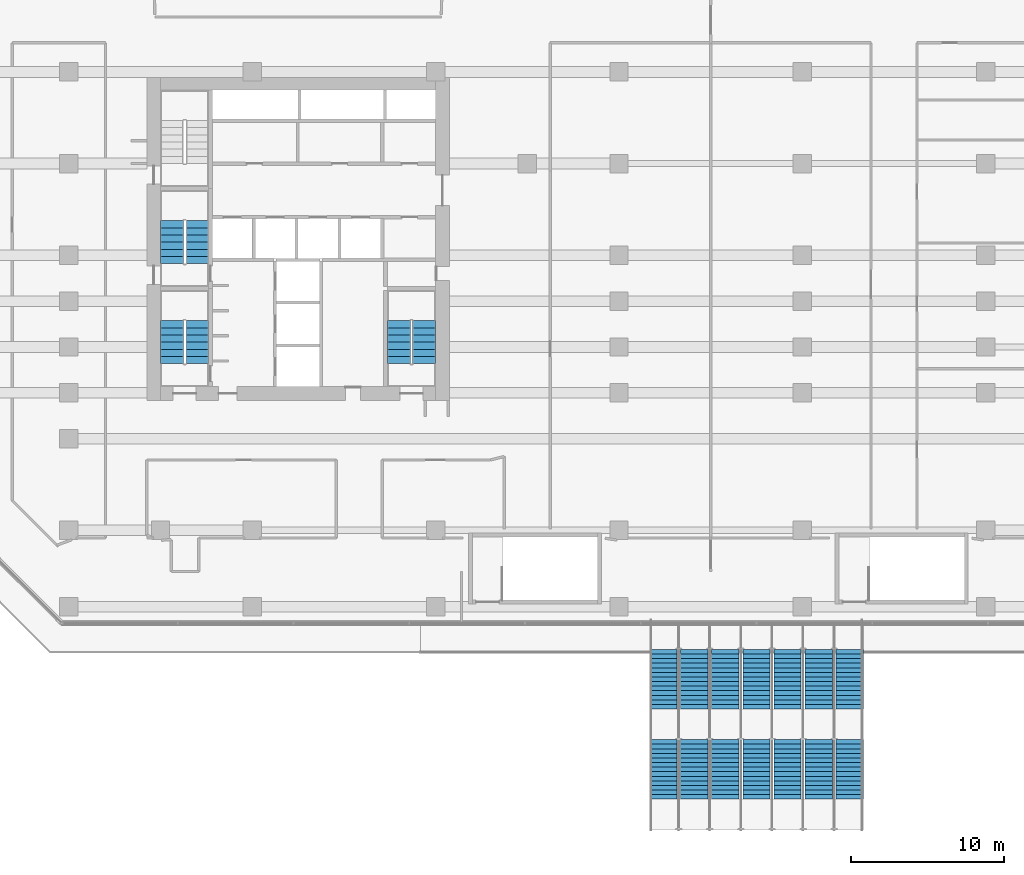
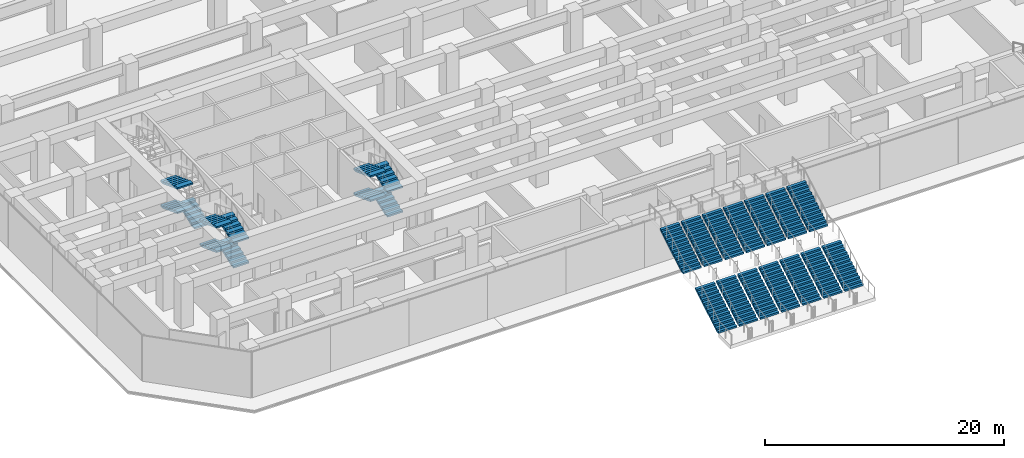
# One storey, part 33 of 40: 25 stair flights, 4 elements without a shape of their own.
"""IFC4 building model written with IfcOpenShell, lengths in metres."""

from ifc_helpers import new_model, si_unit, direction, frame, origin, place, context, subcontext, project, spatial, polyline, outline, extrude, material, type_object, element, aggregate, save


model = new_model("IFC4")

# Units and contexts
model_context = context("Model", 3, precision=1e-05, world=origin(), true_north=direction((0.0, 1.0)))
body_context = subcontext(model_context, "Body", "Model", "MODEL_VIEW")
ifc_project = project(units=[si_unit("LENGTHUNIT", "METRE"), si_unit("AREAUNIT", "SQUARE_METRE"), si_unit("VOLUMEUNIT", "CUBIC_METRE"), si_unit("PLANEANGLEUNIT", "RADIAN"), si_unit("MASSUNIT", "GRAM", prefix="KILO")], contexts=[model_context])

# Site, building, storey
site_placement = place(None, origin())
site = spatial("IfcSite", under=ifc_project, at=site_placement, CompositionType="ELEMENT")
building_placement = place(site_placement, origin())
building = spatial("IfcBuilding", under=site, at=building_placement, Name="Welwitschia Terrace Campus", CompositionType="ELEMENT")
storey_placement = place(building_placement, frame((0.0, 0.0, 6.0)))
storey = spatial("IfcBuildingStorey", under=building, at=storey_placement, Name="L01", CompositionType="ELEMENT", Elevation=6.0)

# Stair, stair flights
ifc_material_1 = material(Name="Concrete C40/50", Category="concrete")
stair_type_1 = type_object("IfcStairType", Name="Entrance stair", PredefinedType="STRAIGHT_RUN_STAIR", material=ifc_material_1)
stair_1_placement = place(storey_placement, origin())
stair_1 = element("IfcStair", 1, at=stair_1_placement, inside=storey, type_object=stair_type_1, Name="Entrance stair to garden deck 2 of 2", PredefinedType="STRAIGHT_RUN_STAIR")
ifc_material_2 = material(Name="Concrete C40/50", Category="concrete")
stair_flight_type_1 = type_object("IfcStairFlightType", Name="Entrance stair flight 1786", PredefinedType="STRAIGHT", material=ifc_material_2)
stair_flight_1_placement = place(storey_placement, frame((38.892822265625, -21.60009765625, 0.0), z_axis=(0.0, 0.0, 1.0), x_axis=(0.0, 1.0, 0.0)))
stair_flight_1 = element("IfcStairFlight", 2, at=stair_flight_1_placement, type_object=stair_flight_type_1, Name="Entrance stair to garden deck 2 of 2 flight 1", NumberOfRisers=14, NumberOfTreads=13, PredefinedType="STRAIGHT", RiserHeight=0.178571429, TreadLength=0.3, context=body_context, shape_type="SweptSolid", body=[
    extrude(outline(polyline([(0.0, 0.0), (0.0, 0.178466796875), (0.300048828125, 0.178466796875), (0.300048828125, 0.357177734375), (0.60009765625, 0.357177734375), (0.60009765625, 0.53564453125), (0.89990234375, 0.53564453125), (0.89990234375, 0.71435546875), (1.199951171875, 0.71435546875), (1.199951171875, 0.892822265625), (1.5, 0.892822265625), (1.5, 1.071533203125), (1.800048828125, 1.071533203125), (1.800048828125, 1.25), (2.10009765625, 1.25), (2.10009765625, 1.428466796875), (2.39990234375, 1.428466796875), (2.39990234375, 1.607177734375), (2.699951171875, 1.607177734375), (2.699951171875, 1.78564453125), (3.0, 1.78564453125), (3.0, 1.96435546875), (3.300048828125, 1.96435546875), (3.300048828125, 2.142822265625), (3.60009765625, 2.142822265625), (3.60009765625, 2.321533203125), (3.89990234375, 2.321533203125), (3.89990234375, 2.5), (3.89990234375, 2.14697265625), (0.29296875, 0.0), (0.0, 0.0)])), frame((0.0, 0.892822265625, 0.0), z_axis=(0.0, -1.0, 0.0), x_axis=(1.0, 0.0, 0.0)), (0.0, 0.0, 1.0), 1.78564453125),
])
stair_flight_2_placement = place(storey_placement, frame((40.9287109375, -21.60009765625, 0.0), z_axis=(0.0, 0.0, 1.0), x_axis=(0.0, 1.0, 0.0)))
stair_flight_2 = element("IfcStairFlight", 3, at=stair_flight_2_placement, type_object=stair_flight_type_1, Name="Entrance stair to garden deck 2 of 2 flight 2", NumberOfRisers=14, NumberOfTreads=13, PredefinedType="STRAIGHT", RiserHeight=0.178571429, TreadLength=0.3, context=body_context, shape_type="SweptSolid", body=[
    extrude(outline(polyline([(0.0, 0.0), (0.0, 0.178466796875), (0.300048828125, 0.178466796875), (0.300048828125, 0.357177734375), (0.60009765625, 0.357177734375), (0.60009765625, 0.53564453125), (0.89990234375, 0.53564453125), (0.89990234375, 0.71435546875), (1.199951171875, 0.71435546875), (1.199951171875, 0.892822265625), (1.5, 0.892822265625), (1.5, 1.071533203125), (1.800048828125, 1.071533203125), (1.800048828125, 1.25), (2.10009765625, 1.25), (2.10009765625, 1.428466796875), (2.39990234375, 1.428466796875), (2.39990234375, 1.607177734375), (2.699951171875, 1.607177734375), (2.699951171875, 1.78564453125), (3.0, 1.78564453125), (3.0, 1.96435546875), (3.300048828125, 1.96435546875), (3.300048828125, 2.142822265625), (3.60009765625, 2.142822265625), (3.60009765625, 2.321533203125), (3.89990234375, 2.321533203125), (3.89990234375, 2.5), (3.89990234375, 2.14697265625), (0.29296875, 0.0), (0.0, 0.0)])), frame((0.0, 0.892822265625, 0.0), z_axis=(0.0, -1.0, 0.0), x_axis=(1.0, 0.0, 0.0)), (0.0, 0.0, 1.0), 1.78564453125),
])
stair_flight_3_placement = place(storey_placement, frame((42.96435546875, -21.60009765625, 0.0), z_axis=(0.0, 0.0, 1.0), x_axis=(0.0, 1.0, 0.0)))
stair_flight_3 = element("IfcStairFlight", 4, at=stair_flight_3_placement, type_object=stair_flight_type_1, Name="Entrance stair to garden deck 2 of 2 flight 3", NumberOfRisers=14, NumberOfTreads=13, PredefinedType="STRAIGHT", RiserHeight=0.178571429, TreadLength=0.3, context=body_context, shape_type="SweptSolid", body=[
    extrude(outline(polyline([(0.0, 0.0), (0.0, 0.178466796875), (0.300048828125, 0.178466796875), (0.300048828125, 0.357177734375), (0.60009765625, 0.357177734375), (0.60009765625, 0.53564453125), (0.89990234375, 0.53564453125), (0.89990234375, 0.71435546875), (1.199951171875, 0.71435546875), (1.199951171875, 0.892822265625), (1.5, 0.892822265625), (1.5, 1.071533203125), (1.800048828125, 1.071533203125), (1.800048828125, 1.25), (2.10009765625, 1.25), (2.10009765625, 1.428466796875), (2.39990234375, 1.428466796875), (2.39990234375, 1.607177734375), (2.699951171875, 1.607177734375), (2.699951171875, 1.78564453125), (3.0, 1.78564453125), (3.0, 1.96435546875), (3.300048828125, 1.96435546875), (3.300048828125, 2.142822265625), (3.60009765625, 2.142822265625), (3.60009765625, 2.321533203125), (3.89990234375, 2.321533203125), (3.89990234375, 2.5), (3.89990234375, 2.14697265625), (0.29296875, 0.0), (0.0, 0.0)])), frame((0.0, 0.892822265625, 0.0), z_axis=(0.0, -1.0, 0.0), x_axis=(1.0, 0.0, 0.0)), (0.0, 0.0, 1.0), 1.78564453125),
])
stair_flight_4_placement = place(storey_placement, frame((45.0, -21.60009765625, 0.0), z_axis=(0.0, 0.0, 1.0), x_axis=(0.0, 1.0, 0.0)))
stair_flight_4 = element("IfcStairFlight", 5, at=stair_flight_4_placement, type_object=stair_flight_type_1, Name="Entrance stair to garden deck 2 of 2 flight 4", NumberOfRisers=14, NumberOfTreads=13, PredefinedType="STRAIGHT", RiserHeight=0.178571429, TreadLength=0.3, context=body_context, shape_type="SweptSolid", body=[
    extrude(outline(polyline([(0.0, 0.0), (0.0, 0.178466796875), (0.300048828125, 0.178466796875), (0.300048828125, 0.357177734375), (0.60009765625, 0.357177734375), (0.60009765625, 0.53564453125), (0.89990234375, 0.53564453125), (0.89990234375, 0.71435546875), (1.199951171875, 0.71435546875), (1.199951171875, 0.892822265625), (1.5, 0.892822265625), (1.5, 1.071533203125), (1.800048828125, 1.071533203125), (1.800048828125, 1.25), (2.10009765625, 1.25), (2.10009765625, 1.428466796875), (2.39990234375, 1.428466796875), (2.39990234375, 1.607177734375), (2.699951171875, 1.607177734375), (2.699951171875, 1.78564453125), (3.0, 1.78564453125), (3.0, 1.96435546875), (3.300048828125, 1.96435546875), (3.300048828125, 2.142822265625), (3.60009765625, 2.142822265625), (3.60009765625, 2.321533203125), (3.89990234375, 2.321533203125), (3.89990234375, 2.5), (3.89990234375, 2.14697265625), (0.29296875, 0.0), (0.0, 0.0)])), frame((0.0, 0.892822265625, 0.0), z_axis=(0.0, -1.0, 0.0), x_axis=(1.0, 0.0, 0.0)), (0.0, 0.0, 1.0), 1.78564453125),
])
stair_flight_5_placement = place(storey_placement, frame((47.03564453125, -21.60009765625, 0.0), z_axis=(0.0, 0.0, 1.0), x_axis=(0.0, 1.0, 0.0)))
stair_flight_5 = element("IfcStairFlight", 6, at=stair_flight_5_placement, type_object=stair_flight_type_1, Name="Entrance stair to garden deck 2 of 2 flight 5", NumberOfRisers=14, NumberOfTreads=13, PredefinedType="STRAIGHT", RiserHeight=0.178571429, TreadLength=0.3, context=body_context, shape_type="SweptSolid", body=[
    extrude(outline(polyline([(0.0, 0.0), (0.0, 0.178466796875), (0.300048828125, 0.178466796875), (0.300048828125, 0.357177734375), (0.60009765625, 0.357177734375), (0.60009765625, 0.53564453125), (0.89990234375, 0.53564453125), (0.89990234375, 0.71435546875), (1.199951171875, 0.71435546875), (1.199951171875, 0.892822265625), (1.5, 0.892822265625), (1.5, 1.071533203125), (1.800048828125, 1.071533203125), (1.800048828125, 1.25), (2.10009765625, 1.25), (2.10009765625, 1.428466796875), (2.39990234375, 1.428466796875), (2.39990234375, 1.607177734375), (2.699951171875, 1.607177734375), (2.699951171875, 1.78564453125), (3.0, 1.78564453125), (3.0, 1.96435546875), (3.300048828125, 1.96435546875), (3.300048828125, 2.142822265625), (3.60009765625, 2.142822265625), (3.60009765625, 2.321533203125), (3.89990234375, 2.321533203125), (3.89990234375, 2.5), (3.89990234375, 2.14697265625), (0.29296875, 0.0), (0.0, 0.0)])), frame((0.0, 0.892822265625, 0.0), z_axis=(0.0, -1.0, 0.0), x_axis=(1.0, 0.0, 0.0)), (0.0, 0.0, 1.0), 1.78564453125),
])
stair_flight_6_placement = place(storey_placement, frame((49.0712890625, -21.60009765625, 0.0), z_axis=(0.0, 0.0, 1.0), x_axis=(0.0, 1.0, 0.0)))
stair_flight_6 = element("IfcStairFlight", 7, at=stair_flight_6_placement, type_object=stair_flight_type_1, Name="Entrance stair to garden deck 2 of 2 flight 6", NumberOfRisers=14, NumberOfTreads=13, PredefinedType="STRAIGHT", RiserHeight=0.178571429, TreadLength=0.3, context=body_context, shape_type="SweptSolid", body=[
    extrude(outline(polyline([(0.0, 0.0), (0.0, 0.178466796875), (0.300048828125, 0.178466796875), (0.300048828125, 0.357177734375), (0.60009765625, 0.357177734375), (0.60009765625, 0.53564453125), (0.89990234375, 0.53564453125), (0.89990234375, 0.71435546875), (1.199951171875, 0.71435546875), (1.199951171875, 0.892822265625), (1.5, 0.892822265625), (1.5, 1.071533203125), (1.800048828125, 1.071533203125), (1.800048828125, 1.25), (2.10009765625, 1.25), (2.10009765625, 1.428466796875), (2.39990234375, 1.428466796875), (2.39990234375, 1.607177734375), (2.699951171875, 1.607177734375), (2.699951171875, 1.78564453125), (3.0, 1.78564453125), (3.0, 1.96435546875), (3.300048828125, 1.96435546875), (3.300048828125, 2.142822265625), (3.60009765625, 2.142822265625), (3.60009765625, 2.321533203125), (3.89990234375, 2.321533203125), (3.89990234375, 2.5), (3.89990234375, 2.14697265625), (0.29296875, 0.0), (0.0, 0.0)])), frame((0.0, 0.892822265625, 0.0), z_axis=(0.0, -1.0, 0.0), x_axis=(1.0, 0.0, 0.0)), (0.0, 0.0, 1.0), 1.78564453125),
])
stair_flight_7_placement = place(storey_placement, frame((51.107177734375, -21.60009765625, 0.0), z_axis=(0.0, 0.0, 1.0), x_axis=(0.0, 1.0, 0.0)))
stair_flight_7 = element("IfcStairFlight", 8, at=stair_flight_7_placement, type_object=stair_flight_type_1, Name="Entrance stair to garden deck 2 of 2 flight 7", NumberOfRisers=14, NumberOfTreads=13, PredefinedType="STRAIGHT", RiserHeight=0.178571429, TreadLength=0.3, context=body_context, shape_type="SweptSolid", body=[
    extrude(outline(polyline([(0.0, 0.0), (0.0, 0.178466796875), (0.300048828125, 0.178466796875), (0.300048828125, 0.357177734375), (0.60009765625, 0.357177734375), (0.60009765625, 0.53564453125), (0.89990234375, 0.53564453125), (0.89990234375, 0.71435546875), (1.199951171875, 0.71435546875), (1.199951171875, 0.892822265625), (1.5, 0.892822265625), (1.5, 1.071533203125), (1.800048828125, 1.071533203125), (1.800048828125, 1.25), (2.10009765625, 1.25), (2.10009765625, 1.428466796875), (2.39990234375, 1.428466796875), (2.39990234375, 1.607177734375), (2.699951171875, 1.607177734375), (2.699951171875, 1.78564453125), (3.0, 1.78564453125), (3.0, 1.96435546875), (3.300048828125, 1.96435546875), (3.300048828125, 2.142822265625), (3.60009765625, 2.142822265625), (3.60009765625, 2.321533203125), (3.89990234375, 2.321533203125), (3.89990234375, 2.5), (3.89990234375, 2.14697265625), (0.29296875, 0.0), (0.0, 0.0)])), frame((0.0, 0.892822265625, 0.0), z_axis=(0.0, -1.0, 0.0), x_axis=(1.0, 0.0, 0.0)), (0.0, 0.0, 1.0), 1.78564453125),
])
stair_flight_8_placement = place(storey_placement, frame((38.892822265625, -15.699951171875, 2.5), z_axis=(0.0, 0.0, 1.0), x_axis=(0.0, 1.0, 0.0)))
stair_flight_8 = element("IfcStairFlight", 9, at=stair_flight_8_placement, type_object=stair_flight_type_1, Name="Entrance stair to garden deck 2 of 2 flight 8", NumberOfRisers=14, NumberOfTreads=13, PredefinedType="STRAIGHT", RiserHeight=0.178571429, TreadLength=0.3, context=body_context, shape_type="SweptSolid", body=[
    extrude(outline(polyline([(0.0, 0.0), (0.0, 0.178466796875), (0.300048828125, 0.178466796875), (0.300048828125, 0.357177734375), (0.60009765625, 0.357177734375), (0.60009765625, 0.53564453125), (0.89990234375, 0.53564453125), (0.89990234375, 0.71435546875), (1.199951171875, 0.71435546875), (1.199951171875, 0.892822265625), (1.5, 0.892822265625), (1.5, 1.071533203125), (1.800048828125, 1.071533203125), (1.800048828125, 1.25), (2.10009765625, 1.25), (2.10009765625, 1.428466796875), (2.39990234375, 1.428466796875), (2.39990234375, 1.607177734375), (2.699951171875, 1.607177734375), (2.699951171875, 1.78564453125), (3.0, 1.78564453125), (3.0, 1.96435546875), (3.300048828125, 1.96435546875), (3.300048828125, 2.142822265625), (3.60009765625, 2.142822265625), (3.60009765625, 2.321533203125), (3.89990234375, 2.321533203125), (3.89990234375, 2.5), (3.89990234375, 2.14697265625), (0.29296875, 0.0), (0.0, 0.0)])), frame((0.0, 0.892822265625, 0.0), z_axis=(0.0, -1.0, 0.0), x_axis=(1.0, 0.0, 0.0)), (0.0, 0.0, 1.0), 1.78564453125),
])
stair_flight_9_placement = place(storey_placement, frame((40.9287109375, -15.699951171875, 2.5), z_axis=(0.0, 0.0, 1.0), x_axis=(0.0, 1.0, 0.0)))
stair_flight_9 = element("IfcStairFlight", 10, at=stair_flight_9_placement, type_object=stair_flight_type_1, Name="Entrance stair to garden deck 2 of 2 flight 9", NumberOfRisers=14, NumberOfTreads=13, PredefinedType="STRAIGHT", RiserHeight=0.178571429, TreadLength=0.3, context=body_context, shape_type="SweptSolid", body=[
    extrude(outline(polyline([(0.0, 0.0), (0.0, 0.178466796875), (0.300048828125, 0.178466796875), (0.300048828125, 0.357177734375), (0.60009765625, 0.357177734375), (0.60009765625, 0.53564453125), (0.89990234375, 0.53564453125), (0.89990234375, 0.71435546875), (1.199951171875, 0.71435546875), (1.199951171875, 0.892822265625), (1.5, 0.892822265625), (1.5, 1.071533203125), (1.800048828125, 1.071533203125), (1.800048828125, 1.25), (2.10009765625, 1.25), (2.10009765625, 1.428466796875), (2.39990234375, 1.428466796875), (2.39990234375, 1.607177734375), (2.699951171875, 1.607177734375), (2.699951171875, 1.78564453125), (3.0, 1.78564453125), (3.0, 1.96435546875), (3.300048828125, 1.96435546875), (3.300048828125, 2.142822265625), (3.60009765625, 2.142822265625), (3.60009765625, 2.321533203125), (3.89990234375, 2.321533203125), (3.89990234375, 2.5), (3.89990234375, 2.14697265625), (0.29296875, 0.0), (0.0, 0.0)])), frame((0.0, 0.892822265625, 0.0), z_axis=(0.0, -1.0, 0.0), x_axis=(1.0, 0.0, 0.0)), (0.0, 0.0, 1.0), 1.78564453125),
])
stair_flight_10_placement = place(storey_placement, frame((42.96435546875, -15.699951171875, 2.5), z_axis=(0.0, 0.0, 1.0), x_axis=(0.0, 1.0, 0.0)))
stair_flight_10 = element("IfcStairFlight", 11, at=stair_flight_10_placement, type_object=stair_flight_type_1, Name="Entrance stair to garden deck 2 of 2 flight 10", NumberOfRisers=14, NumberOfTreads=13, PredefinedType="STRAIGHT", RiserHeight=0.178571429, TreadLength=0.3, context=body_context, shape_type="SweptSolid", body=[
    extrude(outline(polyline([(0.0, 0.0), (0.0, 0.178466796875), (0.300048828125, 0.178466796875), (0.300048828125, 0.357177734375), (0.60009765625, 0.357177734375), (0.60009765625, 0.53564453125), (0.89990234375, 0.53564453125), (0.89990234375, 0.71435546875), (1.199951171875, 0.71435546875), (1.199951171875, 0.892822265625), (1.5, 0.892822265625), (1.5, 1.071533203125), (1.800048828125, 1.071533203125), (1.800048828125, 1.25), (2.10009765625, 1.25), (2.10009765625, 1.428466796875), (2.39990234375, 1.428466796875), (2.39990234375, 1.607177734375), (2.699951171875, 1.607177734375), (2.699951171875, 1.78564453125), (3.0, 1.78564453125), (3.0, 1.96435546875), (3.300048828125, 1.96435546875), (3.300048828125, 2.142822265625), (3.60009765625, 2.142822265625), (3.60009765625, 2.321533203125), (3.89990234375, 2.321533203125), (3.89990234375, 2.5), (3.89990234375, 2.14697265625), (0.29296875, 0.0), (0.0, 0.0)])), frame((0.0, 0.892822265625, 0.0), z_axis=(0.0, -1.0, 0.0), x_axis=(1.0, 0.0, 0.0)), (0.0, 0.0, 1.0), 1.78564453125),
])
stair_flight_11_placement = place(storey_placement, frame((45.0, -15.699951171875, 2.5), z_axis=(0.0, 0.0, 1.0), x_axis=(0.0, 1.0, 0.0)))
stair_flight_11 = element("IfcStairFlight", 12, at=stair_flight_11_placement, type_object=stair_flight_type_1, Name="Entrance stair to garden deck 2 of 2 flight 11", NumberOfRisers=14, NumberOfTreads=13, PredefinedType="STRAIGHT", RiserHeight=0.178571429, TreadLength=0.3, context=body_context, shape_type="SweptSolid", body=[
    extrude(outline(polyline([(0.0, 0.0), (0.0, 0.178466796875), (0.300048828125, 0.178466796875), (0.300048828125, 0.357177734375), (0.60009765625, 0.357177734375), (0.60009765625, 0.53564453125), (0.89990234375, 0.53564453125), (0.89990234375, 0.71435546875), (1.199951171875, 0.71435546875), (1.199951171875, 0.892822265625), (1.5, 0.892822265625), (1.5, 1.071533203125), (1.800048828125, 1.071533203125), (1.800048828125, 1.25), (2.10009765625, 1.25), (2.10009765625, 1.428466796875), (2.39990234375, 1.428466796875), (2.39990234375, 1.607177734375), (2.699951171875, 1.607177734375), (2.699951171875, 1.78564453125), (3.0, 1.78564453125), (3.0, 1.96435546875), (3.300048828125, 1.96435546875), (3.300048828125, 2.142822265625), (3.60009765625, 2.142822265625), (3.60009765625, 2.321533203125), (3.89990234375, 2.321533203125), (3.89990234375, 2.5), (3.89990234375, 2.14697265625), (0.29296875, 0.0), (0.0, 0.0)])), frame((0.0, 0.892822265625, 0.0), z_axis=(0.0, -1.0, 0.0), x_axis=(1.0, 0.0, 0.0)), (0.0, 0.0, 1.0), 1.78564453125),
])
stair_flight_12_placement = place(storey_placement, frame((47.03564453125, -15.699951171875, 2.5), z_axis=(0.0, 0.0, 1.0), x_axis=(0.0, 1.0, 0.0)))
stair_flight_12 = element("IfcStairFlight", 13, at=stair_flight_12_placement, type_object=stair_flight_type_1, Name="Entrance stair to garden deck 2 of 2 flight 12", NumberOfRisers=14, NumberOfTreads=13, PredefinedType="STRAIGHT", RiserHeight=0.178571429, TreadLength=0.3, context=body_context, shape_type="SweptSolid", body=[
    extrude(outline(polyline([(0.0, 0.0), (0.0, 0.178466796875), (0.300048828125, 0.178466796875), (0.300048828125, 0.357177734375), (0.60009765625, 0.357177734375), (0.60009765625, 0.53564453125), (0.89990234375, 0.53564453125), (0.89990234375, 0.71435546875), (1.199951171875, 0.71435546875), (1.199951171875, 0.892822265625), (1.5, 0.892822265625), (1.5, 1.071533203125), (1.800048828125, 1.071533203125), (1.800048828125, 1.25), (2.10009765625, 1.25), (2.10009765625, 1.428466796875), (2.39990234375, 1.428466796875), (2.39990234375, 1.607177734375), (2.699951171875, 1.607177734375), (2.699951171875, 1.78564453125), (3.0, 1.78564453125), (3.0, 1.96435546875), (3.300048828125, 1.96435546875), (3.300048828125, 2.142822265625), (3.60009765625, 2.142822265625), (3.60009765625, 2.321533203125), (3.89990234375, 2.321533203125), (3.89990234375, 2.5), (3.89990234375, 2.14697265625), (0.29296875, 0.0), (0.0, 0.0)])), frame((0.0, 0.892822265625, 0.0), z_axis=(0.0, -1.0, 0.0), x_axis=(1.0, 0.0, 0.0)), (0.0, 0.0, 1.0), 1.78564453125),
])
stair_flight_13_placement = place(storey_placement, frame((49.0712890625, -15.699951171875, 2.5), z_axis=(0.0, 0.0, 1.0), x_axis=(0.0, 1.0, 0.0)))
stair_flight_13 = element("IfcStairFlight", 14, at=stair_flight_13_placement, type_object=stair_flight_type_1, Name="Entrance stair to garden deck 2 of 2 flight 13", NumberOfRisers=14, NumberOfTreads=13, PredefinedType="STRAIGHT", RiserHeight=0.178571429, TreadLength=0.3, context=body_context, shape_type="SweptSolid", body=[
    extrude(outline(polyline([(0.0, 0.0), (0.0, 0.178466796875), (0.300048828125, 0.178466796875), (0.300048828125, 0.357177734375), (0.60009765625, 0.357177734375), (0.60009765625, 0.53564453125), (0.89990234375, 0.53564453125), (0.89990234375, 0.71435546875), (1.199951171875, 0.71435546875), (1.199951171875, 0.892822265625), (1.5, 0.892822265625), (1.5, 1.071533203125), (1.800048828125, 1.071533203125), (1.800048828125, 1.25), (2.10009765625, 1.25), (2.10009765625, 1.428466796875), (2.39990234375, 1.428466796875), (2.39990234375, 1.607177734375), (2.699951171875, 1.607177734375), (2.699951171875, 1.78564453125), (3.0, 1.78564453125), (3.0, 1.96435546875), (3.300048828125, 1.96435546875), (3.300048828125, 2.142822265625), (3.60009765625, 2.142822265625), (3.60009765625, 2.321533203125), (3.89990234375, 2.321533203125), (3.89990234375, 2.5), (3.89990234375, 2.14697265625), (0.29296875, 0.0), (0.0, 0.0)])), frame((0.0, 0.892822265625, 0.0), z_axis=(0.0, -1.0, 0.0), x_axis=(1.0, 0.0, 0.0)), (0.0, 0.0, 1.0), 1.78564453125),
])
stair_flight_14_placement = place(storey_placement, frame((51.107177734375, -15.699951171875, 2.5), z_axis=(0.0, 0.0, 1.0), x_axis=(0.0, 1.0, 0.0)))
stair_flight_14 = element("IfcStairFlight", 15, at=stair_flight_14_placement, type_object=stair_flight_type_1, Name="Entrance stair to garden deck 2 of 2 flight 14", NumberOfRisers=14, NumberOfTreads=13, PredefinedType="STRAIGHT", RiserHeight=0.178571429, TreadLength=0.3, context=body_context, shape_type="SweptSolid", body=[
    extrude(outline(polyline([(0.0, 0.0), (0.0, 0.178466796875), (0.300048828125, 0.178466796875), (0.300048828125, 0.357177734375), (0.60009765625, 0.357177734375), (0.60009765625, 0.53564453125), (0.89990234375, 0.53564453125), (0.89990234375, 0.71435546875), (1.199951171875, 0.71435546875), (1.199951171875, 0.892822265625), (1.5, 0.892822265625), (1.5, 1.071533203125), (1.800048828125, 1.071533203125), (1.800048828125, 1.25), (2.10009765625, 1.25), (2.10009765625, 1.428466796875), (2.39990234375, 1.428466796875), (2.39990234375, 1.607177734375), (2.699951171875, 1.607177734375), (2.699951171875, 1.78564453125), (3.0, 1.78564453125), (3.0, 1.96435546875), (3.300048828125, 1.96435546875), (3.300048828125, 2.142822265625), (3.60009765625, 2.142822265625), (3.60009765625, 2.321533203125), (3.89990234375, 2.321533203125), (3.89990234375, 2.5), (3.89990234375, 2.14697265625), (0.29296875, 0.0), (0.0, 0.0)])), frame((0.0, 0.892822265625, 0.0), z_axis=(0.0, -1.0, 0.0), x_axis=(1.0, 0.0, 0.0)), (0.0, 0.0, 1.0), 1.78564453125),
])
aggregate(stair_1, [stair_flight_1, stair_flight_2, stair_flight_3, stair_flight_4, stair_flight_5, stair_flight_6, stair_flight_7, stair_flight_8, stair_flight_9, stair_flight_10, stair_flight_11, stair_flight_12, stair_flight_13, stair_flight_14])

ifc_material_3 = material(Name="Concrete C40/50", Category="concrete")
stair_type_2 = type_object("IfcStairType", Name="Stair 28R 179 W1500", PredefinedType="HALF_TURN_STAIR", material=ifc_material_3)
stair_2_placement = place(storey_placement, origin())
stair_2 = element("IfcStair", 16, at=stair_2_placement, inside=storey, type_object=stair_type_2, Name="L01 Exit stair S1", PredefinedType="HALF_TURN_STAIR")
ifc_material_4 = material(Name="Concrete C40/50", Category="concrete")
stair_flight_type_2 = type_object("IfcStairFlightType", Name="Stair flight 28R 179 W1500", PredefinedType="STRAIGHT", material=ifc_material_4)
stair_flight_15_placement = place(storey_placement, frame((8.39990234375, 6.89990234375, 0.0), z_axis=(0.0, 0.0, 1.0), x_axis=(0.0, 1.0, 0.0)))
stair_flight_15 = element("IfcStairFlight", 17, at=stair_flight_15_placement, type_object=stair_flight_type_2, Name="S1 flight 1", NumberOfRisers=7, NumberOfTreads=6, PredefinedType="STRAIGHT", RiserHeight=0.178571429, TreadLength=0.47, context=body_context, shape_type="SweptSolid", body=[
    extrude(outline(polyline([(0.0, 0.0), (0.0, 0.178466796875), (0.469970703125, 0.178466796875), (0.469970703125, 0.357177734375), (0.93994140625, 0.357177734375), (0.93994140625, 0.53564453125), (1.409912109375, 0.53564453125), (1.409912109375, 0.71435546875), (1.8798828125, 0.71435546875), (1.8798828125, 0.892822265625), (2.35009765625, 0.892822265625), (2.35009765625, 1.071533203125), (2.820068359375, 1.071533203125), (2.820068359375, 1.25), (2.820068359375, 0.9111328125), (0.422119140625, 0.0), (0.0, 0.0)])), frame((0.0, 0.75, 0.0), z_axis=(0.0, -1.0, 0.0), x_axis=(1.0, 0.0, 0.0)), (0.0, 0.0, 1.0), 1.5),
])
stair_flight_16_placement = place(storey_placement, frame((6.75, 9.719970703125, 1.25), z_axis=(0.0, 0.0, 1.0), x_axis=(0.0, -1.0, 0.0)))
stair_flight_16 = element("IfcStairFlight", 18, at=stair_flight_16_placement, type_object=stair_flight_type_2, Name="S1 flight 2", NumberOfRisers=7, NumberOfTreads=6, PredefinedType="STRAIGHT", RiserHeight=0.178571429, TreadLength=0.47, context=body_context, shape_type="SweptSolid", body=[
    extrude(outline(polyline([(0.0, 0.0), (0.0, 0.178466796875), (0.469970703125, 0.178466796875), (0.469970703125, 0.357177734375), (0.93994140625, 0.357177734375), (0.93994140625, 0.53564453125), (1.409912109375, 0.53564453125), (1.409912109375, 0.71435546875), (1.8798828125, 0.71435546875), (1.8798828125, 0.892822265625), (2.35009765625, 0.892822265625), (2.35009765625, 1.071533203125), (2.820068359375, 1.071533203125), (2.820068359375, 1.25), (2.820068359375, 0.9111328125), (0.422119140625, 0.0), (0.0, 0.0)])), frame((0.0, 0.75, 0.0), z_axis=(0.0, -1.0, 0.0), x_axis=(1.0, 0.0, 0.0)), (0.0, 0.0, 1.0), 1.5),
])
stair_flight_17_placement = place(storey_placement, frame((8.39990234375, 6.89990234375, 2.5), z_axis=(0.0, 0.0, 1.0), x_axis=(0.0, 1.0, 0.0)))
stair_flight_17 = element("IfcStairFlight", 19, at=stair_flight_17_placement, type_object=stair_flight_type_2, Name="S1 flight 3", NumberOfRisers=7, NumberOfTreads=6, PredefinedType="STRAIGHT", RiserHeight=0.178571429, TreadLength=0.47, context=body_context, shape_type="SweptSolid", body=[
    extrude(outline(polyline([(0.0, 0.0), (0.0, 0.178466796875), (0.469970703125, 0.178466796875), (0.469970703125, 0.357177734375), (0.93994140625, 0.357177734375), (0.93994140625, 0.53564453125), (1.409912109375, 0.53564453125), (1.409912109375, 0.71435546875), (1.8798828125, 0.71435546875), (1.8798828125, 0.892822265625), (2.35009765625, 0.892822265625), (2.35009765625, 1.071533203125), (2.820068359375, 1.071533203125), (2.820068359375, 1.25), (2.820068359375, 0.9111328125), (0.422119140625, 0.0), (0.0, 0.0)])), frame((0.0, 0.75, 0.0), z_axis=(0.0, -1.0, 0.0), x_axis=(1.0, 0.0, 0.0)), (0.0, 0.0, 1.0), 1.5),
])
stair_flight_18_placement = place(storey_placement, frame((6.75, 9.719970703125, 3.75), z_axis=(0.0, 0.0, 1.0), x_axis=(0.0, -1.0, 0.0)))
stair_flight_18 = element("IfcStairFlight", 20, at=stair_flight_18_placement, type_object=stair_flight_type_2, Name="S1 flight 4", NumberOfRisers=7, NumberOfTreads=6, PredefinedType="STRAIGHT", RiserHeight=0.178571429, TreadLength=0.47, context=body_context, shape_type="SweptSolid", body=[
    extrude(outline(polyline([(0.0, 0.0), (0.0, 0.178466796875), (0.469970703125, 0.178466796875), (0.469970703125, 0.357177734375), (0.93994140625, 0.357177734375), (0.93994140625, 0.53564453125), (1.409912109375, 0.53564453125), (1.409912109375, 0.71435546875), (1.8798828125, 0.71435546875), (1.8798828125, 0.892822265625), (2.35009765625, 0.892822265625), (2.35009765625, 1.071533203125), (2.820068359375, 1.071533203125), (2.820068359375, 1.25), (2.820068359375, 0.9111328125), (0.422119140625, 0.0), (0.0, 0.0)])), frame((0.0, 0.75, 0.0), z_axis=(0.0, -1.0, 0.0), x_axis=(1.0, 0.0, 0.0)), (0.0, 0.0, 1.0), 1.5),
])
aggregate(stair_2, [stair_flight_15, stair_flight_16, stair_flight_17, stair_flight_18])

stair_3_placement = place(storey_placement, origin())
stair_3 = element("IfcStair", 21, at=stair_3_placement, inside=storey, type_object=stair_type_2, Name="L01 Exit stair S3", PredefinedType="HALF_TURN_STAIR")
stair_flight_19_placement = place(storey_placement, frame((8.39990234375, 13.449951171875, 0.0), z_axis=(0.0, 0.0, 1.0), x_axis=(0.0, 1.0, 0.0)))
stair_flight_19 = element("IfcStairFlight", 22, at=stair_flight_19_placement, type_object=stair_flight_type_2, Name="S3 flight 1", NumberOfRisers=7, NumberOfTreads=6, PredefinedType="STRAIGHT", RiserHeight=0.178571429, TreadLength=0.47, context=body_context, shape_type="SweptSolid", body=[
    extrude(outline(polyline([(0.0, 0.0), (0.0, 0.178466796875), (0.469970703125, 0.178466796875), (0.469970703125, 0.357177734375), (0.93994140625, 0.357177734375), (0.93994140625, 0.53564453125), (1.409912109375, 0.53564453125), (1.409912109375, 0.71435546875), (1.8798828125, 0.71435546875), (1.8798828125, 0.892822265625), (2.35009765625, 0.892822265625), (2.35009765625, 1.071533203125), (2.820068359375, 1.071533203125), (2.820068359375, 1.25), (2.820068359375, 0.9111328125), (0.422119140625, 0.0), (0.0, 0.0)])), frame((0.0, 0.75, 0.0), z_axis=(0.0, -1.0, 0.0), x_axis=(1.0, 0.0, 0.0)), (0.0, 0.0, 1.0), 1.5),
])
stair_flight_20_placement = place(storey_placement, frame((6.75, 16.27001953125, 1.25), z_axis=(0.0, 0.0, 1.0), x_axis=(0.0, -1.0, 0.0)))
stair_flight_20 = element("IfcStairFlight", 23, at=stair_flight_20_placement, type_object=stair_flight_type_2, Name="S3 flight 2", NumberOfRisers=7, NumberOfTreads=6, PredefinedType="STRAIGHT", RiserHeight=0.178571429, TreadLength=0.47, context=body_context, shape_type="SweptSolid", body=[
    extrude(outline(polyline([(0.0, 0.0), (0.0, 0.178466796875), (0.469970703125, 0.178466796875), (0.469970703125, 0.357177734375), (0.93994140625, 0.357177734375), (0.93994140625, 0.53564453125), (1.409912109375, 0.53564453125), (1.409912109375, 0.71435546875), (1.8798828125, 0.71435546875), (1.8798828125, 0.892822265625), (2.35009765625, 0.892822265625), (2.35009765625, 1.071533203125), (2.820068359375, 1.071533203125), (2.820068359375, 1.25), (2.820068359375, 0.9111328125), (0.422119140625, 0.0), (0.0, 0.0)])), frame((0.0, 0.75, 0.0), z_axis=(0.0, -1.0, 0.0), x_axis=(1.0, 0.0, 0.0)), (0.0, 0.0, 1.0), 1.5),
])
stair_flight_21_placement = place(storey_placement, frame((6.75, 16.27001953125, 3.75), z_axis=(0.0, 0.0, 1.0), x_axis=(0.0, -1.0, 0.0)))
stair_flight_21 = element("IfcStairFlight", 24, at=stair_flight_21_placement, type_object=stair_flight_type_2, Name="S3 flight 4", NumberOfRisers=7, NumberOfTreads=6, PredefinedType="STRAIGHT", RiserHeight=0.178571429, TreadLength=0.47, context=body_context, shape_type="SweptSolid", body=[
    extrude(outline(polyline([(0.0, 0.0), (0.0, 0.178466796875), (0.469970703125, 0.178466796875), (0.469970703125, 0.357177734375), (0.93994140625, 0.357177734375), (0.93994140625, 0.53564453125), (1.409912109375, 0.53564453125), (1.409912109375, 0.71435546875), (1.8798828125, 0.71435546875), (1.8798828125, 0.892822265625), (2.35009765625, 0.892822265625), (2.35009765625, 1.071533203125), (2.820068359375, 1.071533203125), (2.820068359375, 1.25), (2.820068359375, 0.9111328125), (0.422119140625, 0.0), (0.0, 0.0)])), frame((0.0, 0.75, 0.0), z_axis=(0.0, -1.0, 0.0), x_axis=(1.0, 0.0, 0.0)), (0.0, 0.0, 1.0), 1.5),
])
aggregate(stair_3, [stair_flight_19, stair_flight_20, stair_flight_21])

stair_4_placement = place(storey_placement, origin())
stair_4 = element("IfcStair", 25, at=stair_4_placement, inside=storey, type_object=stair_type_2, Name="L01 Exit stair S2", PredefinedType="HALF_TURN_STAIR")
stair_flight_22_placement = place(storey_placement, frame((23.25, 6.89990234375, 0.0), z_axis=(0.0, 0.0, 1.0), x_axis=(0.0, 1.0, 0.0)))
stair_flight_22 = element("IfcStairFlight", 26, at=stair_flight_22_placement, type_object=stair_flight_type_2, Name="S2 flight 1", NumberOfRisers=7, NumberOfTreads=6, PredefinedType="STRAIGHT", RiserHeight=0.178571429, TreadLength=0.47, context=body_context, shape_type="SweptSolid", body=[
    extrude(outline(polyline([(0.0, 0.0), (0.0, 0.178466796875), (0.469970703125, 0.178466796875), (0.469970703125, 0.357177734375), (0.93994140625, 0.357177734375), (0.93994140625, 0.53564453125), (1.409912109375, 0.53564453125), (1.409912109375, 0.71435546875), (1.8798828125, 0.71435546875), (1.8798828125, 0.892822265625), (2.35009765625, 0.892822265625), (2.35009765625, 1.071533203125), (2.820068359375, 1.071533203125), (2.820068359375, 1.25), (2.820068359375, 0.9111328125), (0.422119140625, 0.0), (0.0, 0.0)])), frame((0.0, 0.75, 0.0), z_axis=(0.0, -1.0, 0.0), x_axis=(1.0, 0.0, 0.0)), (0.0, 0.0, 1.0), 1.5),
])
stair_flight_23_placement = place(storey_placement, frame((21.60009765625, 9.719970703125, 1.25), z_axis=(0.0, 0.0, 1.0), x_axis=(0.0, -1.0, 0.0)))
stair_flight_23 = element("IfcStairFlight", 27, at=stair_flight_23_placement, type_object=stair_flight_type_2, Name="S2 flight 2", NumberOfRisers=7, NumberOfTreads=6, PredefinedType="STRAIGHT", RiserHeight=0.178571429, TreadLength=0.47, context=body_context, shape_type="SweptSolid", body=[
    extrude(outline(polyline([(0.0, 0.0), (0.0, 0.178466796875), (0.469970703125, 0.178466796875), (0.469970703125, 0.357177734375), (0.93994140625, 0.357177734375), (0.93994140625, 0.53564453125), (1.409912109375, 0.53564453125), (1.409912109375, 0.71435546875), (1.8798828125, 0.71435546875), (1.8798828125, 0.892822265625), (2.35009765625, 0.892822265625), (2.35009765625, 1.071533203125), (2.820068359375, 1.071533203125), (2.820068359375, 1.25), (2.820068359375, 0.9111328125), (0.422119140625, 0.0), (0.0, 0.0)])), frame((0.0, 0.75, 0.0), z_axis=(0.0, -1.0, 0.0), x_axis=(1.0, 0.0, 0.0)), (0.0, 0.0, 1.0), 1.5),
])
stair_flight_24_placement = place(storey_placement, frame((23.25, 6.89990234375, 2.5), z_axis=(0.0, 0.0, 1.0), x_axis=(0.0, 1.0, 0.0)))
stair_flight_24 = element("IfcStairFlight", 28, at=stair_flight_24_placement, type_object=stair_flight_type_2, Name="S2 flight 3", NumberOfRisers=7, NumberOfTreads=6, PredefinedType="STRAIGHT", RiserHeight=0.178571429, TreadLength=0.47, context=body_context, shape_type="SweptSolid", body=[
    extrude(outline(polyline([(0.0, 0.0), (0.0, 0.178466796875), (0.469970703125, 0.178466796875), (0.469970703125, 0.357177734375), (0.93994140625, 0.357177734375), (0.93994140625, 0.53564453125), (1.409912109375, 0.53564453125), (1.409912109375, 0.71435546875), (1.8798828125, 0.71435546875), (1.8798828125, 0.892822265625), (2.35009765625, 0.892822265625), (2.35009765625, 1.071533203125), (2.820068359375, 1.071533203125), (2.820068359375, 1.25), (2.820068359375, 0.9111328125), (0.422119140625, 0.0), (0.0, 0.0)])), frame((0.0, 0.75, 0.0), z_axis=(0.0, -1.0, 0.0), x_axis=(1.0, 0.0, 0.0)), (0.0, 0.0, 1.0), 1.5),
])
stair_flight_25_placement = place(storey_placement, frame((21.60009765625, 9.719970703125, 3.75), z_axis=(0.0, 0.0, 1.0), x_axis=(0.0, -1.0, 0.0)))
stair_flight_25 = element("IfcStairFlight", 29, at=stair_flight_25_placement, type_object=stair_flight_type_2, Name="S2 flight 4", NumberOfRisers=7, NumberOfTreads=6, PredefinedType="STRAIGHT", RiserHeight=0.178571429, TreadLength=0.47, context=body_context, shape_type="SweptSolid", body=[
    extrude(outline(polyline([(0.0, 0.0), (0.0, 0.178466796875), (0.469970703125, 0.178466796875), (0.469970703125, 0.357177734375), (0.93994140625, 0.357177734375), (0.93994140625, 0.53564453125), (1.409912109375, 0.53564453125), (1.409912109375, 0.71435546875), (1.8798828125, 0.71435546875), (1.8798828125, 0.892822265625), (2.35009765625, 0.892822265625), (2.35009765625, 1.071533203125), (2.820068359375, 1.071533203125), (2.820068359375, 1.25), (2.820068359375, 0.9111328125), (0.422119140625, 0.0), (0.0, 0.0)])), frame((0.0, 0.75, 0.0), z_axis=(0.0, -1.0, 0.0), x_axis=(1.0, 0.0, 0.0)), (0.0, 0.0, 1.0), 1.5),
])
aggregate(stair_4, [stair_flight_22, stair_flight_23, stair_flight_24, stair_flight_25])

save(model, "model.ifc")
